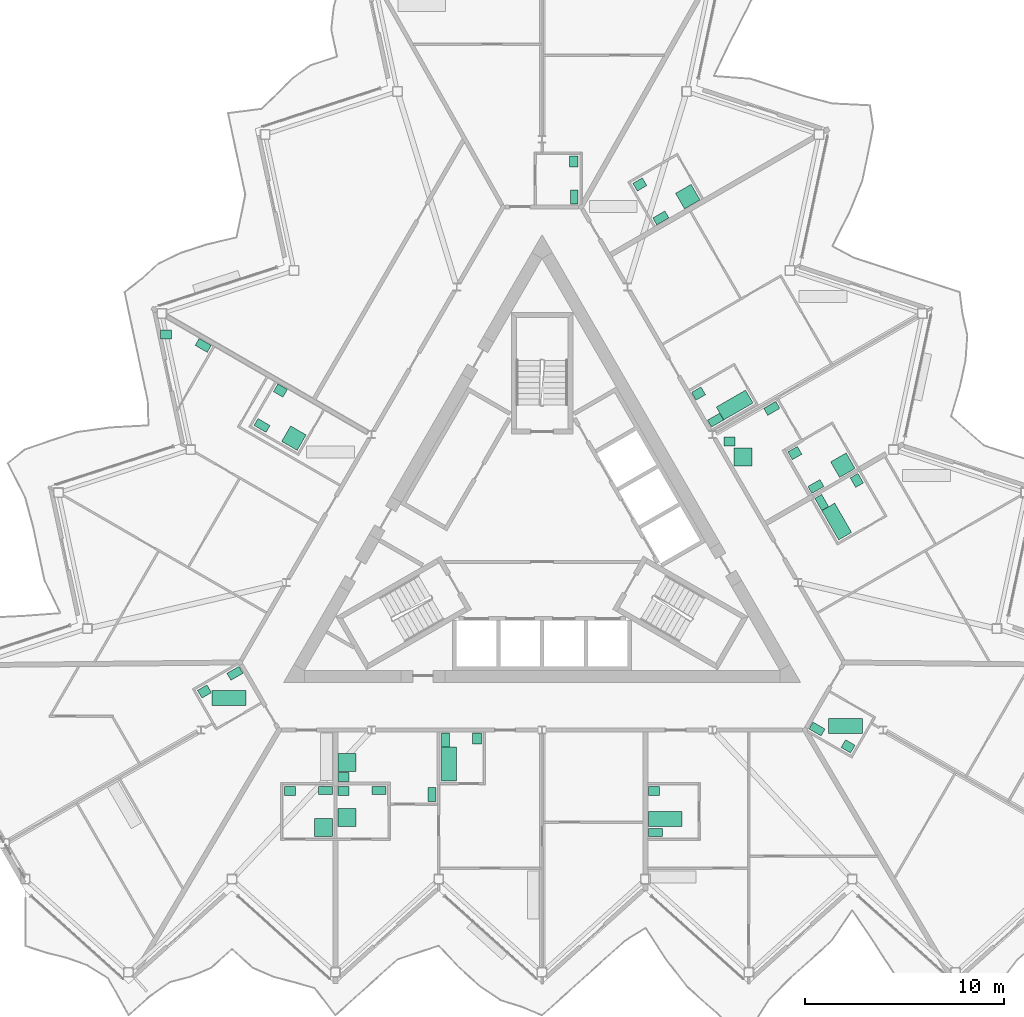
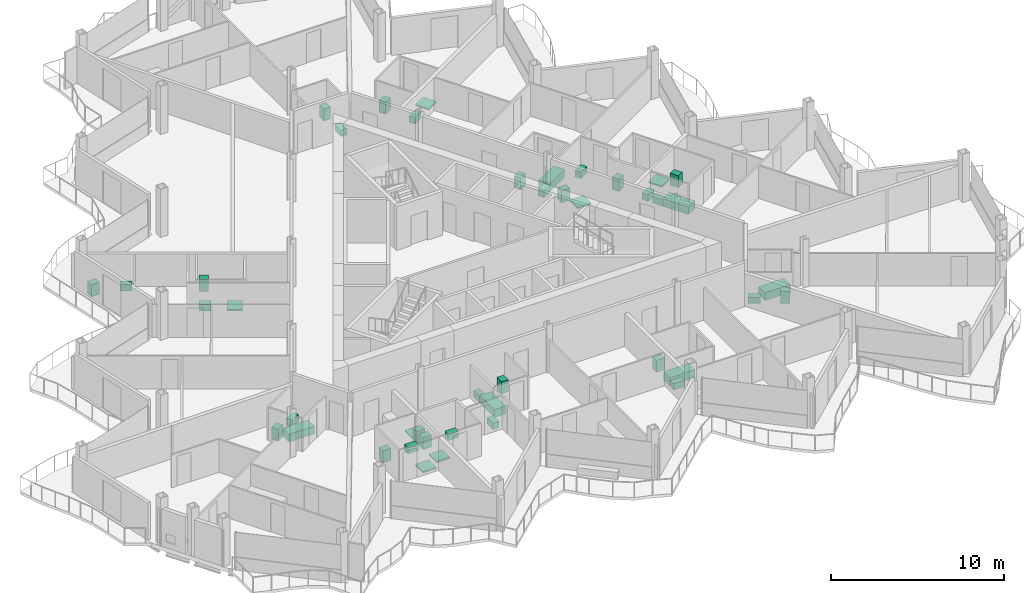
# One storey, part 25 of 26: 43 sanitary terminals.
"""IFC4 building model written with IfcOpenShell, lengths in metres."""

import ifcopenshell
import ifcopenshell.guid

model = None  # the IFC model being written
_history = None  # IfcOwnerHistory: only IFC2X3 demands one
_inside = {}  # id of a spatial element -> (the spatial element, [elements in it])
_under = {}  # id of a project, library or spatial element -> (it, [spatial elements below it])
_declared = {}  # id of a project -> (the project, [libraries it declares])
_typed = {}  # id of a type object -> (the type object, [elements of that type])
_made_of = {}  # id of a material, layer set ... -> (it, [elements and type objects made of it])


def new_model(schema):
    """Start an empty IFC model of exactly this schema.

    Asked for "IFC4X3", IfcOpenShell would pick the latest addendum, in which some entities
    have other attributes; the version numbers below select the first issue.
    IFC2X3 requires an IfcOwnerHistory on every rooted entity: one is made here for all.
    """
    global model, _history
    if schema == "IFC4X3":
        model = ifcopenshell.file(schema_version=(4, 3, 0, 0))
    else:
        model = ifcopenshell.file(schema=schema)
    _inside.clear()
    _under.clear()
    _declared.clear()
    _typed.clear()
    _made_of.clear()
    _history = None
    if model.schema == "IFC2X3":
        org = make("IfcOrganization", Name="unknown")
        user = make(
            "IfcPersonAndOrganization",
            ThePerson=make("IfcPerson", FamilyName="unknown"),
            TheOrganization=org,
        )
        app = make(
            "IfcApplication",
            ApplicationDeveloper=org,
            Version="unknown",
            ApplicationFullName="unknown",
            ApplicationIdentifier="unknown",
        )
        _history = make(
            "IfcOwnerHistory",
            OwningUser=user,
            OwningApplication=app,
            ChangeAction="ADDED",
            CreationDate=0,
        )
    return model


def make(cls, **values):
    """One entity of the class cls with the attributes given. An attribute that is None is left unset."""
    return model.create_entity(
        cls, **{name: value for name, value in values.items() if value is not None}
    )


def rooted(cls, **values):
    """An entity with a GlobalId (a new one), such as an element, a storey or a relation."""
    return make(cls, GlobalId=ifcopenshell.guid.new(), OwnerHistory=_history, **values)


def si_unit(unit_type, name, prefix=None):
    """IfcSIUnit, for example si_unit("LENGTHUNIT", "METRE", prefix="MILLI")."""
    return make("IfcSIUnit", UnitType=unit_type, Prefix=prefix, Name=name)


def assignment(units):
    """IfcUnitAssignment: the units of a project."""
    return None if units is None else make("IfcUnitAssignment", Units=units)


def point(xyz):
    """IfcCartesianPoint."""
    return None if xyz is None else make("IfcCartesianPoint", Coordinates=xyz)


def direction(xyz):
    """IfcDirection."""
    return None if xyz is None else make("IfcDirection", DirectionRatios=xyz)


def frame(location, z_axis=None, x_axis=None):
    """IfcAxis2Placement3D, a coordinate frame: its origin and axes. An axis left out is left unset."""
    return make(
        "IfcAxis2Placement3D",
        Location=point(location),
        Axis=direction(z_axis),
        RefDirection=direction(x_axis),
    )


def frame_2d(location, x_axis=None):
    """IfcAxis2Placement2D, a coordinate frame in the plane: its origin and x axis."""
    return make(
        "IfcAxis2Placement2D", Location=point(location), RefDirection=direction(x_axis)
    )


def origin():
    """The frame at (0, 0, 0) with its axes left unset."""
    return frame((0.0, 0.0, 0.0))


def origin_2d():
    """The frame at (0, 0) in the plane with its x axis left unset."""
    return frame_2d((0.0, 0.0))


def place(relative_to, where):
    """IfcLocalPlacement: puts the frame where relative to a parent placement (None: the world)."""
    return make(
        "IfcLocalPlacement", PlacementRelTo=relative_to, RelativePlacement=where
    )


def context(
    kind, dimensions, precision=None, world=None, true_north=None, identifier=None
):
    """IfcGeometricRepresentationContext, for example the 3D "Model" context."""
    return make(
        "IfcGeometricRepresentationContext",
        ContextIdentifier=identifier,
        ContextType=kind,
        CoordinateSpaceDimension=dimensions,
        Precision=precision,
        WorldCoordinateSystem=world,
        TrueNorth=true_north,
    )


def subcontext(parent, identifier, kind, view, scale=None):
    """IfcGeometricRepresentationSubContext, for example "Body" below "Model"."""
    return make(
        "IfcGeometricRepresentationSubContext",
        ContextIdentifier=identifier,
        ContextType=kind,
        ParentContext=parent,
        TargetScale=scale,
        TargetView=view,
    )


def project(units=None, contexts=None):
    """IfcProject with its units and contexts."""
    return rooted(
        "IfcProject",
        Name="project",
        RepresentationContexts=contexts,
        UnitsInContext=assignment(units),
    )


def spatial(cls, under=None, at=None, **own):
    """A site, building, storey or space (cls), placed at a placement, below another one or the project."""
    s = rooted(cls, ObjectPlacement=at, **own)
    if under is not None:
        _under.setdefault(under.id(), (under, []))[1].append(s)
    return s


def profile(cls, at=None, kind="AREA", **sizes):
    """A parametric profile (cls). Its sizes go by their IFC names, for example OverallWidth=200.0."""
    return make(cls, ProfileType=kind, Position=at, **sizes)


def rectangle(**sizes):
    """IfcRectangleProfileDef."""
    return profile("IfcRectangleProfileDef", **sizes)


def extrude(swept, where, along, depth):
    """IfcExtrudedAreaSolid: the profile swept, set in the frame where, extruded along a direction by depth."""
    return make(
        "IfcExtrudedAreaSolid",
        SweptArea=swept,
        Position=where,
        ExtrudedDirection=direction(along),
        Depth=depth,
    )


def shape(context_of_items, identifier, shape_type, items):
    """IfcShapeRepresentation: the items that make up one representation, for example the "Body"."""
    return make(
        "IfcShapeRepresentation",
        ContextOfItems=context_of_items,
        RepresentationIdentifier=identifier,
        RepresentationType=shape_type,
        Items=items,
    )


def material(Name=None, Category=None):
    """IfcMaterial."""
    return make("IfcMaterial", Name=Name, Category=Category)


def made_of(thing, what):
    """Note that an element or type object is made of a material, layer set ...; save() writes the relation."""
    if what is not None:
        _made_of.setdefault(what.id(), (what, []))[1].append(thing)
    return thing


def type_object(cls, material=None, **own):
    """A type object (cls), such as IfcWallType, which elements share."""
    return made_of(rooted(cls, **own), material)


def element(
    cls,
    number,
    at=None,
    inside=None,
    cuts=None,
    type_object=None,
    material=None,
    context=None,
    identifier="Body",
    shape_type=None,
    held_by="IfcProductDefinitionShape",
    body=None,
    shapes=None,
    **own,
):
    """One element of the class cls, such as IfcWall. Its Tag is "e" and its number.

    at: its placement. inside: the storey or other place that contains it. cuts: it is an
    opening in that element (IfcRelVoidsElement). A single representation is given by context,
    identifier, shape_type and body (its items); several are given by shapes. held_by: the class
    of the entity that holds the representations. save() writes the other relations.
    """
    e = rooted(cls, Tag="e%d" % number, ObjectPlacement=at, **own)
    if body is not None:
        shapes = [shape(context, identifier, shape_type, body)]
    if shapes is not None:
        e.Representation = make(held_by, Representations=shapes)
    if inside is not None:
        _inside.setdefault(inside.id(), (inside, []))[1].append(e)
    if cuts is not None:
        rooted(
            "IfcRelVoidsElement", RelatingBuildingElement=cuts, RelatedOpeningElement=e
        )
    if type_object is not None:
        _typed.setdefault(type_object.id(), (type_object, []))[1].append(e)
    return made_of(e, material)


def aggregate(whole, parts):
    """IfcRelAggregates: a whole, such as a stair, and the parts it consists of."""
    return rooted("IfcRelAggregates", RelatingObject=whole, RelatedObjects=parts)


def save(model, path):
    """Write the relations noted so far, then the file.

    IfcRelAggregates (storeys below a building ...), IfcRelContainedInSpatialStructure (elements
    in a storey), IfcRelDefinesByType, IfcRelAssociatesMaterial and IfcRelDeclares: one each for
    every whole, place, type object, material and project.
    """
    for whole, parts in _under.values():
        aggregate(whole, parts)
    for where, things in _inside.values():
        rooted(
            "IfcRelContainedInSpatialStructure",
            RelatedElements=things,
            RelatingStructure=where,
        )
    for kind, things in _typed.values():
        rooted("IfcRelDefinesByType", RelatedObjects=things, RelatingType=kind)
    for what, things in _made_of.values():
        rooted("IfcRelAssociatesMaterial", RelatedObjects=things, RelatingMaterial=what)
    for by, libraries in _declared.values():
        rooted("IfcRelDeclares", RelatingContext=by, RelatedDefinitions=libraries)
    model.write(path)


model = new_model("IFC4")

# Units and contexts
model_context = context("Model", 3, precision=1e-05, world=origin(), true_north=direction((0.0, 1.0)))
body_context = subcontext(model_context, "Body", "Model", "MODEL_VIEW")
ifc_project = project(units=[si_unit("LENGTHUNIT", "METRE"), si_unit("AREAUNIT", "SQUARE_METRE"), si_unit("VOLUMEUNIT", "CUBIC_METRE"), si_unit("PLANEANGLEUNIT", "RADIAN"), si_unit("MASSUNIT", "GRAM", prefix="KILO")], contexts=[model_context])

# Site, building, storey
site_placement = place(None, origin())
site = spatial("IfcSite", under=ifc_project, at=site_placement, CompositionType="ELEMENT")
building_placement = place(site_placement, origin())
building = spatial("IfcBuilding", under=site, at=building_placement, Name="Cormorant Prow Tower", CompositionType="ELEMENT")
storey_placement = place(building_placement, frame((0.0, 0.0, 374.60009765625)))
storey = spatial("IfcBuildingStorey", under=building, at=storey_placement, Name="L84", CompositionType="ELEMENT", Elevation=374.60009765625)

# Sanitary terminals
ifc_material_1 = material(Name="Vitreous china")
sanitary_terminal_type_1 = type_object("IfcSanitaryTerminalType", Name="Bath 1700x750", PredefinedType="BATH", material=ifc_material_1)
for number, where, z_axis, x_axis, name in (
    (1, (-4.679931640625, -11.610595703125, 0.0), (0.0, 0.0, 1.0), (0.0, 1.0, 0.0), "Bath"),
    (2, (6.195068359375, -14.385498046875, 0.0), (0.0, 0.0, 1.0), (1.0, 0.0, 0.0), "Bath"),
    (3, (15.260498046875, -9.70068359375, 0.0), (0.0, 0.0, 1.0), (1.0, 0.0, 0.0), "Bath"),
    (4, (14.819580078125, 0.5830078125, 0.0), (0.0, 0.0, 1.0), (-0.5, 0.866025403784, 0.0), "Bath"),
    (5, (9.68701171875, 6.442626953125, 0.0), (0.0, 0.0, 1.0), (-0.866025403784, -0.5, 0.0), "Bath"),
    (6, (-15.75244140625, -8.29248046875, 0.0), (0.0, 0.0, 1.0), (1.0, 0.0, 0.0), "Bath"),
):
    element("IfcSanitaryTerminal", number, at=place(storey_placement, frame(where, z_axis=z_axis, x_axis=x_axis)), inside=storey, type_object=sanitary_terminal_type_1, Name=name, PredefinedType="BATH", context=body_context, shape_type="SweptSolid", body=[
        extrude(rectangle(XDim=1.699951171875, YDim=0.75, at=origin_2d()), origin(), (0.0, 0.0, 1.0), 0.550048828125),
    ])
ifc_material_2 = material(Name="Vitreous china")
sanitary_terminal_type_2 = type_object("IfcSanitaryTerminalType", Name="Shower tray 900x900", PredefinedType="SHOWER", material=ifc_material_2)
for number, where, z_axis, x_axis, name in (
    (7, (-10.9951171875, -14.810546875, -0.000244140625), (0.0, 0.0, 1.0), (-1.0, 0.0, 0.0), "Shower tray"),
    (8, (-9.804931640625, -14.310546875, -0.000244140625), (0.0, 0.0, 1.0), (1.0, 0.0, 0.0), "Shower tray"),
    (9, (-9.804931640625, -11.5419921875, -0.000244140625), (0.0, 0.0, 1.0), (1.0, 0.0, 0.0), "Shower tray"),
    (10, (15.12890625, 3.417236328125, -0.000244140625), (0.0, 0.0, 1.0), (-0.866025403784, -0.5, 0.0), "Shower tray"),
    (11, (10.109130859375, 3.8291015625, -0.000244140625), (0.0, 0.0, 1.0), (1.0, 0.0, 0.0), "Shower tray"),
    (12, (7.328857421875, 16.92724609375, -0.000244140625), (0.0, 0.0, 1.0), (-0.866025403784, -0.5, 0.0), "Shower tray"),
    (13, (-12.484619140625, 4.77734375, -0.000244140625), (0.0, 0.0, 1.0), (-0.866025403784, 0.5, 0.0), "Shower tray"),
):
    element("IfcSanitaryTerminal", number, at=place(storey_placement, frame(where, z_axis=z_axis, x_axis=x_axis)), inside=storey, type_object=sanitary_terminal_type_2, Name=name, PredefinedType="SHOWER", context=body_context, shape_type="SweptSolid", body=[
        extrude(rectangle(XDim=0.89990234375, YDim=0.89990234375, at=origin_2d()), origin(), (0.0, 0.0, 1.0), 0.10009765625),
    ])
ifc_material_3 = material(Name="Vitreous china")
sanitary_terminal_type_3 = type_object("IfcSanitaryTerminalType", Name="Wash basin 550x450", PredefinedType="WASHHANDBASIN", material=ifc_material_3)
for number, where, z_axis, x_axis, name in (
    (14, (-12.679931640625, -12.9755859375, -0.000244140625), (0.0, 0.0, 1.0), (1.0, 0.0, 0.0), "Wash basin"),
    (15, (-3.27001953125, -10.32568359375, -0.000244140625), (0.0, 0.0, 1.0), (0.0, -1.0, 0.0), "Wash basin"),
    (16, (-9.97998046875, -12.9755859375, -0.000244140625), (0.0, 0.0, 1.0), (1.0, 0.0, 0.0), "Wash basin"),
    (17, (-9.97998046875, -12.26708984375, -0.000244140625), (0.0, 0.0, 1.0), (1.0, 0.0, 0.0), "Wash basin"),
    (18, (5.6201171875, -12.9755859375, -0.000244140625), (0.0, 0.0, 1.0), (1.0, 0.0, 0.0), "Wash basin"),
    (19, (15.390380859375, -10.72509765625, -0.000244140625), (0.0, 0.0, 1.0), (-0.866025403784, 0.5, 0.0), "Wash basin"),
    (20, (15.831298828125, 2.650634765625, -0.000244140625), (0.0, 0.0, 1.0), (0.5, -0.866025403784, 0.0), "Wash basin"),
    (21, (7.869140625, 7.021240234375, -0.000244140625), (0.0, 0.0, 1.0), (0.866025403784, 0.5, 0.0), "Wash basin"),
    (22, (12.715576171875, 4.02734375, -0.000244140625), (0.0, 0.0, 1.0), (0.866025403784, 0.5, 0.0), "Wash basin"),
    (23, (9.43408203125, 4.604248046875, -0.000244140625), (0.0, 0.0, 1.0), (1.0, 0.0, 0.0), "Wash basin"),
    (24, (4.91552734375, 17.537353515625, -0.000244140625), (0.0, 0.0, 1.0), (0.866025403784, 0.5, 0.0), "Wash basin"),
    (25, (1.593017578125, 18.691162109375, -0.000244140625), (0.0, 0.0, 1.0), (0.0, -1.0, 0.0), "Wash basin"),
    (26, (-18.916748046875, 9.997314453125, -0.000244140625), (0.0, 0.0, 1.0), (1.0, 0.0, 0.0), "Wash basin"),
    (27, (-13.162841796875, 7.17236328125, -0.000244140625), (0.0, 0.0, 1.0), (0.866025403784, -0.5, 0.0), "Wash basin"),
    (28, (-16.9833984375, -7.9658203125, -0.000244140625), (0.0, 0.0, 1.0), (0.866025403784, 0.5, 0.0), "Wash basin"),
):
    element("IfcSanitaryTerminal", number, at=place(storey_placement, frame(where, z_axis=z_axis, x_axis=x_axis)), inside=storey, type_object=sanitary_terminal_type_3, Name=name, PredefinedType="WASHHANDBASIN", context=body_context, shape_type="SweptSolid", body=[
        extrude(rectangle(XDim=0.550048828125, YDim=0.449951171875, at=origin_2d()), origin(), (0.0, 0.0, 1.0), 0.85009765625),
    ])
ifc_material_4 = material(Name="Vitreous china")
sanitary_terminal_type_4 = type_object("IfcSanitaryTerminalType", Name="Water closet 400x700", PredefinedType="WCSEAT", material=ifc_material_4)
for number, where, z_axis, x_axis, name in (
    (29, (-10.89501953125, -12.95068359375, 0.0), (0.0, 0.0, 1.0), (0.0, -1.0, 0.0), "Water closet"),
    (30, (-4.85498046875, -10.400634765625, 0.0), (0.0, 0.0, 1.0), (1.0, 0.0, 0.0), "Water closet"),
    (31, (-8.195068359375, -12.95068359375, 0.0), (0.0, 0.0, 1.0), (0.0, -1.0, 0.0), "Water closet"),
    (32, (-5.544921875, -13.14208984375, 0.0), (0.0, 0.0, 1.0), (-1.0, 0.0, 0.0), "Water closet"),
    (33, (5.695068359375, -15.060546875, 0.0), (0.0, 0.0, 1.0), (0.0, 1.0, 0.0), "Water closet"),
    (34, (13.83203125, -9.854248046875, 0.0), (0.0, 0.0, 1.0), (0.5, 0.866025403784, 0.0), "Water closet"),
    (35, (14.06298828125, 1.543212890625, 0.0), (0.0, 0.0, 1.0), (0.866025403784, 0.5, 0.0), "Water closet"),
    (36, (8.726806640625, 5.68603515625, 0.0), (0.0, 0.0, 1.0), (-0.5, 0.866025403784, 0.0), "Water closet"),
    (37, (13.77294921875, 2.345703125, 0.0), (0.0, 0.0, 1.0), (-0.5, 0.866025403784, 0.0), "Water closet"),
    (38, (11.553955078125, 6.272216796875, 0.0), (0.0, 0.0, 1.0), (0.5, -0.866025403784, 0.0), "Water closet"),
    (39, (5.972900390625, 15.855712890625, 0.0), (0.0, 0.0, 1.0), (-0.5, 0.866025403784, 0.0), "Water closet"),
    (40, (1.617919921875, 16.906005859375, 0.0), (0.0, 0.0, 1.0), (-1.0, 0.0, 0.0), "Water closet"),
    (41, (-17.047607421875, 9.444091796875, 0.0), (0.0, 0.0, 1.0), (-0.5, -0.866025403784, 0.0), "Water closet"),
    (42, (-14.09033203125, 5.415771484375, 0.0), (0.0, 0.0, 1.0), (0.5, 0.866025403784, 0.0), "Water closet"),
    (43, (-15.4501953125, -7.0517578125, 0.0), (0.0, 0.0, 1.0), (0.5, -0.866025403784, 0.0), "Water closet"),
):
    element("IfcSanitaryTerminal", number, at=place(storey_placement, frame(where, z_axis=z_axis, x_axis=x_axis)), inside=storey, type_object=sanitary_terminal_type_4, Name=name, PredefinedType="WCSEAT", context=body_context, shape_type="SweptSolid", body=[
        extrude(rectangle(XDim=0.39990234375, YDim=0.699951171875, at=origin_2d()), origin(), (0.0, 0.0, 1.0), 0.449951171875),
    ])

save(model, "model.ifc")
